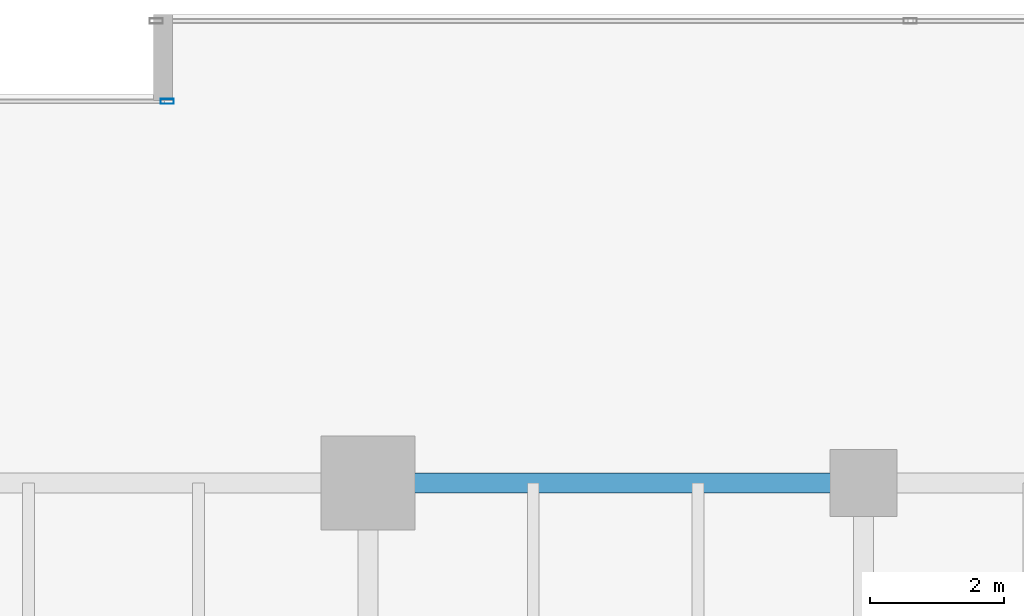
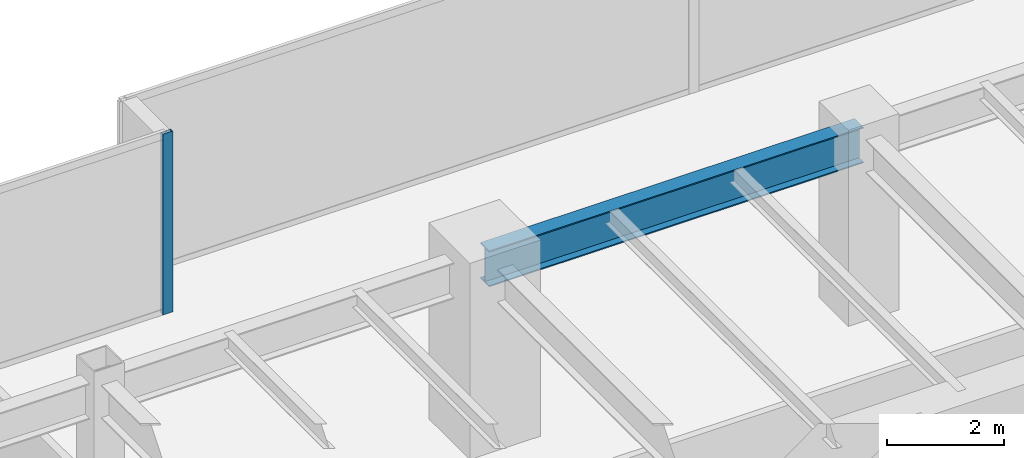
# One storey, part 20 of 35: 1 beam, 1 member, 1 element without a shape of its own.
"""IFC4 building model written with IfcOpenShell, lengths in metres."""

from ifc_helpers import new_model, si_unit, direction, frame, origin, origin_2d, place, context, subcontext, project, spatial, hollow_rectangle, i_section, extrude, source, transform, mapped, material, layer, layer_set, material_profile, profile_set, type_object, type_shapes, element, aggregate, save


model = new_model("IFC4")

# Units and contexts
model_context = context("Model", 3, precision=1e-05, world=origin(), true_north=direction((0.0, 1.0)))
body_context = subcontext(model_context, "Body", "Model", "MODEL_VIEW")
ifc_project = project(units=[si_unit("LENGTHUNIT", "METRE"), si_unit("AREAUNIT", "SQUARE_METRE"), si_unit("VOLUMEUNIT", "CUBIC_METRE"), si_unit("PLANEANGLEUNIT", "RADIAN"), si_unit("MASSUNIT", "GRAM", prefix="KILO")], contexts=[model_context])

# Site, building, storey
site_placement = place(None, origin())
site = spatial("IfcSite", under=ifc_project, at=site_placement, CompositionType="ELEMENT")
building_placement = place(site_placement, origin())
building = spatial("IfcBuilding", under=site, at=building_placement, Name="Haelvirn Gate Laboratories", CompositionType="ELEMENT")
storey_placement = place(building_placement, frame((0.0, 0.0, 45.699951171875)))
storey = spatial("IfcBuildingStorey", under=building, at=storey_placement, Name="L11", CompositionType="ELEMENT", Elevation=45.699951171875)

# Beam
ifc_material_1 = material(Name="Steel SM355", Category="steel")
ifc_material_profile_1 = material_profile(ifc_material_1, i_section(OverallWidth=0.300048828125, OverallDepth=0.75, WebThickness=0.013916015625, FlangeThickness=0.02392578125, at=origin_2d()), Name="H-750x300x14x24")
ifc_profile_set_1 = profile_set([ifc_material_profile_1], Name="Steel SM355")
beam_type = type_object("IfcBeamType", Name="BM-G-750", PredefinedType="BEAM", material=ifc_profile_set_1)
shared_shape_1 = source(origin(), body_context, "Body", "SweptSolid", [
    extrude(i_section(OverallWidth=0.300048828125, OverallDepth=0.75, WebThickness=0.013916015625, FlangeThickness=0.02392578125, at=origin_2d()), origin(), (0.0, 0.0, 1.0), 7.39990234375),
])
type_shapes(beam_type, [shared_shape_1])
beam_placement = place(storey_placement, frame((52.60009765625, 41.60009765625, 3.405029296875), z_axis=(1.0, 0.0, 0.0), x_axis=(0.0, 1.0, 0.0)))
element("IfcBeam", 1, at=beam_placement, inside=storey, type_object=beam_type, Name="L11 Primary Girder Y41.6 (52.6-60.0)", PredefinedType="BEAM", context=body_context, shape_type="MappedRepresentation", body=[
    mapped(shared_shape_1, transform((0.0, 0.0, 0.0), scale=1.0)),
])

# Curtain wall, member
ifc_material_2 = material(Name="Anodised bronze unitised aluminium & triple low-E glass", Category="aluminium")
ifc_layer = layer(ifc_material_2, 0.18408203125, Name="CW-SYS-2")
ifc_layer_set = layer_set([ifc_layer], Name="Anodised bronze unitised aluminium & triple low-E glass")
curtain_wall_type = type_object("IfcCurtainWallType", Name="CW-SYS-2", PredefinedType="NOTDEFINED", material=ifc_layer_set)
curtain_wall_placement = place(storey_placement, origin())
curtain_wall = element("IfcCurtainWall", 2, at=curtain_wall_placement, inside=storey, type_object=curtain_wall_type, Name="L11 Unitised Curtain Wall CW-L11-P0-E12-1", PredefinedType="NOTDEFINED")
ifc_material_3 = material(Name="Extruded aluminium 6063-T6 (anodised bronze)", Category="aluminium")
ifc_material_profile_2 = material_profile(ifc_material_3, hollow_rectangle(XDim=0.074951171875, YDim=0.199951171875, WallThickness=0.0048828125, at=origin_2d()), Name="CWM-200x75x5")
ifc_profile_set_2 = profile_set([ifc_material_profile_2], Name="Extruded aluminium 6063-T6 (anodised bronze)")
member_type = type_object("IfcMemberType", Name="CWM-T200", PredefinedType="MULLION", material=ifc_profile_set_2)
shared_shape_2 = source(origin(), body_context, "Body", "SweptSolid", [
    extrude(hollow_rectangle(XDim=0.074951171875, YDim=0.199951171875, WallThickness=0.0048828125, at=origin_2d()), origin(), (0.0, 0.0, 1.0), 3.780029296875),
])
type_shapes(member_type, [shared_shape_2])
member_placement = place(storey_placement, frame((49.6025390625, 47.300048828125, 0.0), z_axis=(0.0, 0.0, 1.0), x_axis=(0.0, 1.0, 0.0)))
member = element("IfcMember", 3, at=member_placement, type_object=member_type, Name="CW2 mullion 3", PredefinedType="MULLION", context=body_context, shape_type="MappedRepresentation", body=[
    mapped(shared_shape_2, transform((0.0, 0.0, 0.0), scale=1.0)),
])
aggregate(curtain_wall, [member])

save(model, "model.ifc")
